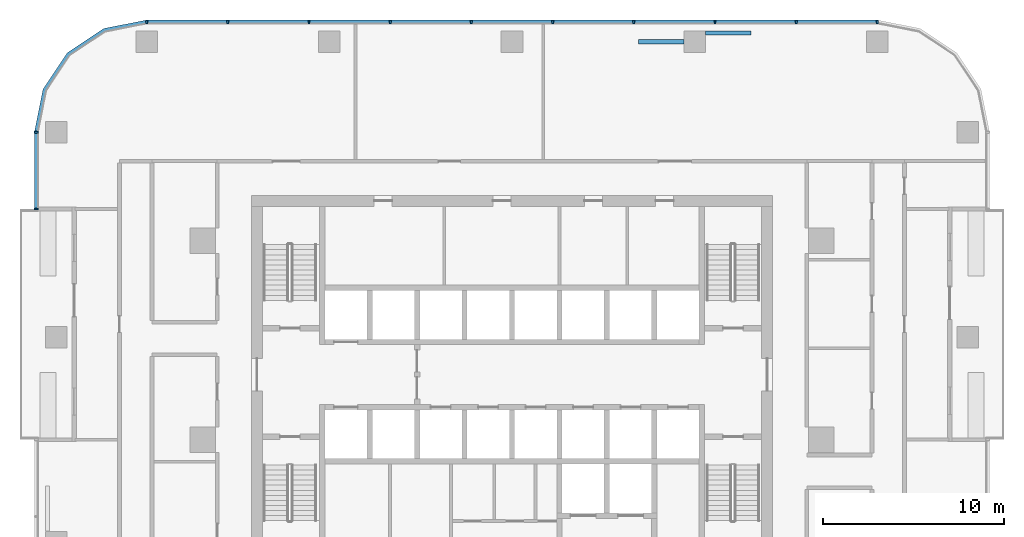
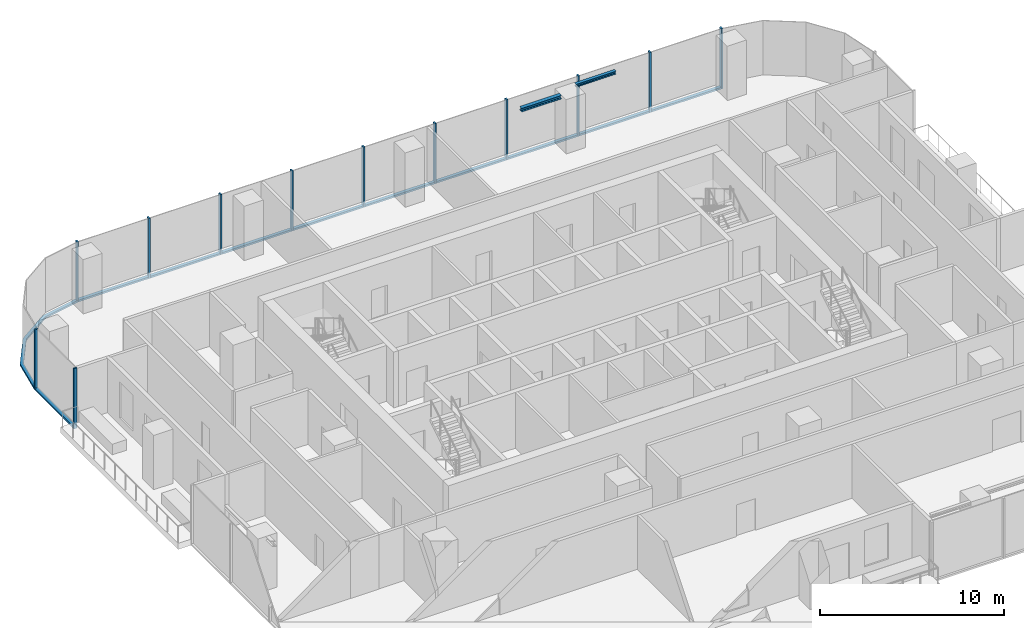
# One storey, part 4 of 15: 23 members, 2 beams, 3 elements without a shape of their own.
"""IFC4 building model written with IfcOpenShell, lengths in metres."""

from ifc_helpers import new_model, si_unit, direction, frame, origin, origin_2d, place, context, subcontext, project, spatial, polyline, rectangle, i_section, outline, extrude, material, material_profile, profile_set, type_object, element, aggregate, save


model = new_model("IFC4")

# Units and contexts
model_context = context("Model", 3, precision=1e-05, world=origin(), true_north=direction((0.0, 1.0)))
body_context = subcontext(model_context, "Body", "Model", "MODEL_VIEW")
ifc_project = project(units=[si_unit("LENGTHUNIT", "METRE"), si_unit("AREAUNIT", "SQUARE_METRE"), si_unit("VOLUMEUNIT", "CUBIC_METRE"), si_unit("PLANEANGLEUNIT", "RADIAN"), si_unit("MASSUNIT", "GRAM", prefix="KILO")], contexts=[model_context])

# Site, building, storey
site_placement = place(None, origin())
site = spatial("IfcSite", under=ifc_project, at=site_placement, CompositionType="ELEMENT")
building_placement = place(site_placement, origin())
building = spatial("IfcBuilding", under=site, at=building_placement, Name="Mopane Tessera Tower", CompositionType="ELEMENT")
storey_placement = place(building_placement, frame((0.0, 0.0, 177.0)))
storey = spatial("IfcBuildingStorey", under=building, at=storey_placement, Name="L36", CompositionType="ELEMENT", Elevation=177.0)

# Curtain wall, members
ifc_material_1 = material(Name="Aluminium frame", Category="aluminium")
curtain_wall_type = type_object("IfcCurtainWallType", Name="Unitised curtain wall", PredefinedType="NOTDEFINED", material=ifc_material_1)
curtain_wall_1_placement = place(storey_placement, origin())
curtain_wall_1 = element("IfcCurtainWall", 1, at=curtain_wall_1_placement, inside=storey, type_object=curtain_wall_type, Name="e:cw:L36:N:0", PredefinedType="NOTDEFINED")
ifc_material_2 = material(Name="Aluminium frame", Category="aluminium")
ifc_material_profile_1 = material_profile(ifc_material_2, rectangle(XDim=0.10009765625, YDim=0.199951171875, at=origin_2d()))
ifc_profile_set_1 = profile_set([ifc_material_profile_1], Name="Aluminium frame")
member_type_1 = type_object("IfcMemberType", Name="Aluminium mullion 100 x 200", PredefinedType="MULLION", material=ifc_profile_set_1)
member_1_placement = place(storey_placement, frame((20.199951171875, 23.10009765625, -0.39990234375), z_axis=(0.0, 0.0, 1.0), x_axis=(-1.0, 0.0, 0.0)))
member_1 = element("IfcMember", 2, at=member_1_placement, type_object=member_type_1, Name="e:cw:L36:N:0:mu0", PredefinedType="MULLION", context=body_context, shape_type="SweptSolid", body=[
    extrude(rectangle(XDim=0.10009765625, YDim=0.199951171875, at=origin_2d()), origin(), (0.0, 0.0, 1.0), 4.0),
])
member_2_placement = place(storey_placement, frame((15.711181640625, 23.10009765625, -0.39990234375), z_axis=(0.0, 0.0, 1.0), x_axis=(-1.0, 0.0, 0.0)))
member_2 = element("IfcMember", 3, at=member_2_placement, type_object=member_type_1, Name="e:cw:L36:N:0:mu1", PredefinedType="MULLION", context=body_context, shape_type="SweptSolid", body=[
    extrude(rectangle(XDim=0.10009765625, YDim=0.199951171875, at=origin_2d()), origin(), (0.0, 0.0, 1.0), 4.0),
])
member_3_placement = place(storey_placement, frame((11.22216796875, 23.10009765625, -0.39990234375), z_axis=(0.0, 0.0, 1.0), x_axis=(-1.0, 0.0, 0.0)))
member_3 = element("IfcMember", 4, at=member_3_placement, type_object=member_type_1, Name="e:cw:L36:N:0:mu2", PredefinedType="MULLION", context=body_context, shape_type="SweptSolid", body=[
    extrude(rectangle(XDim=0.10009765625, YDim=0.199951171875, at=origin_2d()), origin(), (0.0, 0.0, 1.0), 4.0),
])
member_4_placement = place(storey_placement, frame((6.7333984375, 23.10009765625, -0.39990234375), z_axis=(0.0, 0.0, 1.0), x_axis=(-1.0, 0.0, 0.0)))
member_4 = element("IfcMember", 5, at=member_4_placement, type_object=member_type_1, Name="e:cw:L36:N:0:mu3", PredefinedType="MULLION", context=body_context, shape_type="SweptSolid", body=[
    extrude(rectangle(XDim=0.10009765625, YDim=0.199951171875, at=origin_2d()), origin(), (0.0, 0.0, 1.0), 4.0),
])
member_5_placement = place(storey_placement, frame((2.244384765625, 23.10009765625, -0.39990234375), z_axis=(0.0, 0.0, 1.0), x_axis=(-1.0, 0.0, 0.0)))
member_5 = element("IfcMember", 6, at=member_5_placement, type_object=member_type_1, Name="e:cw:L36:N:0:mu4", PredefinedType="MULLION", context=body_context, shape_type="SweptSolid", body=[
    extrude(rectangle(XDim=0.10009765625, YDim=0.199951171875, at=origin_2d()), origin(), (0.0, 0.0, 1.0), 4.0),
])
member_6_placement = place(storey_placement, frame((-2.244384765625, 23.10009765625, -0.39990234375), z_axis=(0.0, 0.0, 1.0), x_axis=(-1.0, 0.0, 0.0)))
member_6 = element("IfcMember", 7, at=member_6_placement, type_object=member_type_1, Name="e:cw:L36:N:0:mu5", PredefinedType="MULLION", context=body_context, shape_type="SweptSolid", body=[
    extrude(rectangle(XDim=0.10009765625, YDim=0.199951171875, at=origin_2d()), origin(), (0.0, 0.0, 1.0), 4.0),
])
member_7_placement = place(storey_placement, frame((-6.7333984375, 23.10009765625, -0.39990234375), z_axis=(0.0, 0.0, 1.0), x_axis=(-1.0, 0.0, 0.0)))
member_7 = element("IfcMember", 8, at=member_7_placement, type_object=member_type_1, Name="e:cw:L36:N:0:mu6", PredefinedType="MULLION", context=body_context, shape_type="SweptSolid", body=[
    extrude(rectangle(XDim=0.10009765625, YDim=0.199951171875, at=origin_2d()), origin(), (0.0, 0.0, 1.0), 4.0),
])
member_8_placement = place(storey_placement, frame((-11.22216796875, 23.10009765625, -0.39990234375), z_axis=(0.0, 0.0, 1.0), x_axis=(-1.0, 0.0, 0.0)))
member_8 = element("IfcMember", 9, at=member_8_placement, type_object=member_type_1, Name="e:cw:L36:N:0:mu7", PredefinedType="MULLION", context=body_context, shape_type="SweptSolid", body=[
    extrude(rectangle(XDim=0.10009765625, YDim=0.199951171875, at=origin_2d()), origin(), (0.0, 0.0, 1.0), 4.0),
])
member_9_placement = place(storey_placement, frame((-15.711181640625, 23.10009765625, -0.39990234375), z_axis=(0.0, 0.0, 1.0), x_axis=(-1.0, 0.0, 0.0)))
member_9 = element("IfcMember", 10, at=member_9_placement, type_object=member_type_1, Name="e:cw:L36:N:0:mu8", PredefinedType="MULLION", context=body_context, shape_type="SweptSolid", body=[
    extrude(rectangle(XDim=0.10009765625, YDim=0.199951171875, at=origin_2d()), origin(), (0.0, 0.0, 1.0), 4.0),
])
member_10_placement = place(storey_placement, frame((-20.199951171875, 23.10009765625, -0.39990234375), z_axis=(0.0, 0.0, 1.0), x_axis=(-1.0, 0.0, 0.0)))
member_10 = element("IfcMember", 11, at=member_10_placement, type_object=member_type_1, Name="e:cw:L36:N:0:mu9", PredefinedType="MULLION", context=body_context, shape_type="SweptSolid", body=[
    extrude(rectangle(XDim=0.10009765625, YDim=0.199951171875, at=origin_2d()), origin(), (0.0, 0.0, 1.0), 4.0),
])

curtain_wall_2_placement = place(storey_placement, origin())
curtain_wall_2 = element("IfcCurtainWall", 12, at=curtain_wall_2_placement, inside=storey, type_object=curtain_wall_type, Name="e:cw:L36:W:0", PredefinedType="NOTDEFINED")
member_11_placement = place(storey_placement, frame((-26.300048828125, 17.0, -0.39990234375), z_axis=(0.0, 0.0, 1.0), x_axis=(0.0, -1.0, 0.0)))
member_11 = element("IfcMember", 13, at=member_11_placement, type_object=member_type_1, Name="e:cw:L36:W:0:mu0", PredefinedType="MULLION", context=body_context, shape_type="SweptSolid", body=[
    extrude(rectangle(XDim=0.10009765625, YDim=0.199951171875, at=origin_2d()), origin(), (0.0, 0.0, 1.0), 4.0),
])
member_12_placement = place(storey_placement, frame((-26.300048828125, 12.75, -0.39990234375), z_axis=(0.0, 0.0, 1.0), x_axis=(0.0, -1.0, 0.0)))
member_12 = element("IfcMember", 14, at=member_12_placement, type_object=member_type_1, Name="e:cw:L36:W:0:mu1", PredefinedType="MULLION", context=body_context, shape_type="SweptSolid", body=[
    extrude(rectangle(XDim=0.10009765625, YDim=0.199951171875, at=origin_2d()), origin(), (0.0, 0.0, 1.0), 4.0),
])

# Member
ifc_material_3 = material(Name="Aluminium frame", Category="aluminium")
ifc_material_profile_2 = material_profile(ifc_material_3, rectangle(XDim=0.199951171875, YDim=0.1201171875, at=origin_2d()))
ifc_profile_set_2 = profile_set([ifc_material_profile_2], Name="Aluminium frame")
member_type_2 = type_object("IfcMemberType", Name="Aluminium transom 200 x 120", PredefinedType="USERDEFINED", material=ifc_profile_set_2)
member_13_placement = place(storey_placement, frame((20.14990234375, 23.10009765625, -0.340087890625), z_axis=(-1.0, 0.0, 0.0), x_axis=(0.0, -1.0, 0.0)))
member_13 = element("IfcMember", 15, at=member_13_placement, type_object=member_type_2, Name="e:cw:L36:N:0:tr0", ObjectType="TRANSOM", PredefinedType="USERDEFINED", context=body_context, shape_type="SweptSolid", body=[
    extrude(rectangle(XDim=0.199951171875, YDim=0.1201171875, at=origin_2d()), origin(), (0.0, 0.0, 1.0), 4.388671875),
])

member_14_placement = place(storey_placement, frame((15.6611328125, 23.10009765625, -0.340087890625), z_axis=(-1.0, 0.0, 0.0), x_axis=(0.0, -1.0, 0.0)))
member_14 = element("IfcMember", 16, at=member_14_placement, type_object=member_type_2, Name="e:cw:L36:N:0:tr1", ObjectType="TRANSOM", PredefinedType="USERDEFINED", context=body_context, shape_type="SweptSolid", body=[
    extrude(rectangle(XDim=0.199951171875, YDim=0.1201171875, at=origin_2d()), origin(), (0.0, 0.0, 1.0), 4.388916015625),
])

member_15_placement = place(storey_placement, frame((11.172119140625, 23.10009765625, -0.340087890625), z_axis=(-1.0, 0.0, 0.0), x_axis=(0.0, -1.0, 0.0)))
member_15 = element("IfcMember", 17, at=member_15_placement, type_object=member_type_2, Name="e:cw:L36:N:0:tr2", ObjectType="TRANSOM", PredefinedType="USERDEFINED", context=body_context, shape_type="SweptSolid", body=[
    extrude(rectangle(XDim=0.199951171875, YDim=0.1201171875, at=origin_2d()), origin(), (0.0, 0.0, 1.0), 4.388671875),
])

member_16_placement = place(storey_placement, frame((6.683349609375, 23.10009765625, -0.340087890625), z_axis=(-1.0, 0.0, 0.0), x_axis=(0.0, -1.0, 0.0)))
member_16 = element("IfcMember", 18, at=member_16_placement, type_object=member_type_2, Name="e:cw:L36:N:0:tr3", ObjectType="TRANSOM", PredefinedType="USERDEFINED", context=body_context, shape_type="SweptSolid", body=[
    extrude(rectangle(XDim=0.199951171875, YDim=0.1201171875, at=origin_2d()), origin(), (0.0, 0.0, 1.0), 4.388916015625),
])

member_17_placement = place(storey_placement, frame((2.1943359375, 23.10009765625, -0.340087890625), z_axis=(-1.0, 0.0, 0.0), x_axis=(0.0, -1.0, 0.0)))
member_17 = element("IfcMember", 19, at=member_17_placement, type_object=member_type_2, Name="e:cw:L36:N:0:tr4", ObjectType="TRANSOM", PredefinedType="USERDEFINED", context=body_context, shape_type="SweptSolid", body=[
    extrude(rectangle(XDim=0.199951171875, YDim=0.1201171875, at=origin_2d()), origin(), (0.0, 0.0, 1.0), 4.388671875),
])

member_18_placement = place(storey_placement, frame((-2.29443359375, 23.10009765625, -0.340087890625), z_axis=(-1.0, 0.0, 0.0), x_axis=(0.0, -1.0, 0.0)))
member_18 = element("IfcMember", 20, at=member_18_placement, type_object=member_type_2, Name="e:cw:L36:N:0:tr5", ObjectType="TRANSOM", PredefinedType="USERDEFINED", context=body_context, shape_type="SweptSolid", body=[
    extrude(rectangle(XDim=0.199951171875, YDim=0.1201171875, at=origin_2d()), origin(), (0.0, 0.0, 1.0), 4.388916015625),
])

member_19_placement = place(storey_placement, frame((-6.783447265625, 23.10009765625, -0.340087890625), z_axis=(-1.0, 0.0, 0.0), x_axis=(0.0, -1.0, 0.0)))
member_19 = element("IfcMember", 21, at=member_19_placement, type_object=member_type_2, Name="e:cw:L36:N:0:tr6", ObjectType="TRANSOM", PredefinedType="USERDEFINED", context=body_context, shape_type="SweptSolid", body=[
    extrude(rectangle(XDim=0.199951171875, YDim=0.1201171875, at=origin_2d()), origin(), (0.0, 0.0, 1.0), 4.388671875),
])

member_20_placement = place(storey_placement, frame((-11.272216796875, 23.10009765625, -0.340087890625), z_axis=(-1.0, 0.0, 0.0), x_axis=(0.0, -1.0, 0.0)))
member_20 = element("IfcMember", 22, at=member_20_placement, type_object=member_type_2, Name="e:cw:L36:N:0:tr7", ObjectType="TRANSOM", PredefinedType="USERDEFINED", context=body_context, shape_type="SweptSolid", body=[
    extrude(rectangle(XDim=0.199951171875, YDim=0.1201171875, at=origin_2d()), origin(), (0.0, 0.0, 1.0), 4.388916015625),
])

member_21_placement = place(storey_placement, frame((-15.76123046875, 23.10009765625, -0.340087890625), z_axis=(-1.0, 0.0, 0.0), x_axis=(0.0, -1.0, 0.0)))
member_21 = element("IfcMember", 23, at=member_21_placement, type_object=member_type_2, Name="e:cw:L36:N:0:tr8", ObjectType="TRANSOM", PredefinedType="USERDEFINED", context=body_context, shape_type="SweptSolid", body=[
    extrude(rectangle(XDim=0.199951171875, YDim=0.1201171875, at=origin_2d()), origin(), (0.0, 0.0, 1.0), 4.388671875),
])

aggregate(curtain_wall_1, [member_1, member_2, member_3, member_4, member_5, member_6, member_7, member_8, member_9, member_10, member_13, member_14, member_15, member_16, member_17, member_18, member_19, member_20, member_21])

# Curtain wall, member
curtain_wall_3_placement = place(storey_placement, origin())
curtain_wall_3 = element("IfcCurtainWall", 24, at=curtain_wall_3_placement, inside=storey, type_object=curtain_wall_type, Name="e:cw:L36:CN", PredefinedType="NOTDEFINED")
member_22_placement = place(storey_placement, frame((0.0, 0.0, -0.39990234375)))
member_22 = element("IfcMember", 25, at=member_22_placement, type_object=member_type_2, Name="e:cw:L36:CN:tr", ObjectType="TRANSOM", PredefinedType="USERDEFINED", context=body_context, shape_type="SweptSolid", body=[
    extrude(outline(polyline([(-20.199951171875, 23.0), (-22.49609375, 22.543212890625), (-24.442626953125, 21.24267578125), (-25.7431640625, 19.296142578125), (-26.199951171875, 17.0), (-26.39990234375, 17.0), (-25.927978515625, 19.37255859375), (-24.583984375, 21.384033203125), (-22.57275390625, 22.72802734375), (-20.199951171875, 23.199951171875), (-20.199951171875, 23.0)])), origin(), (0.0, 0.0, 1.0), 0.119873046875),
])
aggregate(curtain_wall_3, [member_22])

# Member
member_23_placement = place(storey_placement, frame((-26.300048828125, 16.949951171875, -0.340087890625), z_axis=(0.0, -1.0, 0.0), x_axis=(1.0, 0.0, 0.0)))
member_23 = element("IfcMember", 26, at=member_23_placement, type_object=member_type_2, Name="e:cw:L36:W:0:tr0", ObjectType="TRANSOM", PredefinedType="USERDEFINED", context=body_context, shape_type="SweptSolid", body=[
    extrude(rectangle(XDim=0.199951171875, YDim=0.1201171875, at=origin_2d()), origin(), (0.0, 0.0, 1.0), 4.14990234375),
])

aggregate(curtain_wall_2, [member_11, member_12, member_23])

# Beams
ifc_material_4 = material(Name="Structural steel S460", Category="steel")
ifc_material_profile_3 = material_profile(ifc_material_4, i_section(OverallWidth=0.239990234375, OverallDepth=0.239990234375, WebThickness=0.010009765625, FlangeThickness=0.01708984375, FilletRadius=0.02099609375, at=origin_2d()))
ifc_profile_set_3 = profile_set([ifc_material_profile_3], Name="Structural steel S460")
beam_type_1 = type_object("IfcBeamType", Name="Terrace spandrel beam HE 240 B", PredefinedType="SPANDREL", material=ifc_profile_set_3)
beam_1_placement = place(storey_placement, frame((9.4970703125, 22.0, 3.47998046875), z_axis=(-1.0, 0.0, 0.0), x_axis=(0.0, -1.0, 0.0)))
element("IfcBeam", 27, at=beam_1_placement, inside=storey, type_object=beam_type_1, Name="Terrace spandrel beam N3 L37", PredefinedType="SPANDREL", context=body_context, shape_type="SweptSolid", body=[
    extrude(i_section(OverallWidth=0.239990234375, OverallDepth=0.239990234375, WebThickness=0.010009765625, FlangeThickness=0.01708984375, FilletRadius=0.02099609375, at=origin_2d()), origin(), (0.0, 0.0, 1.0), 2.5),
])
ifc_material_5 = material(Name="Structural steel S460", Category="steel")
ifc_material_profile_4 = material_profile(ifc_material_5, i_section(OverallWidth=0.199951171875, OverallDepth=0.199951171875, WebThickness=0.009033203125, FlangeThickness=0.014892578125, FilletRadius=0.01806640625, at=origin_2d()))
ifc_profile_set_4 = profile_set([ifc_material_profile_4], Name="Structural steel S460")
beam_type_2 = type_object("IfcBeamType", Name="Terrace trimmer beam HE 200 B", PredefinedType="BEAM", material=ifc_profile_set_4)
beam_2_placement = place(storey_placement, frame((10.703125, 22.47998046875, 3.5), z_axis=(1.0, 0.0, 0.0), x_axis=(0.0, 1.0, 0.0)))
element("IfcBeam", 28, at=beam_2_placement, inside=storey, type_object=beam_type_2, Name="Terrace trimmer beam N3 L37", PredefinedType="BEAM", context=body_context, shape_type="SweptSolid", body=[
    extrude(i_section(OverallWidth=0.199951171875, OverallDepth=0.199951171875, WebThickness=0.009033203125, FlangeThickness=0.014892578125, FilletRadius=0.01806640625, at=origin_2d()), origin(), (0.0, 0.0, 1.0), 2.5),
])

save(model, "model.ifc")
